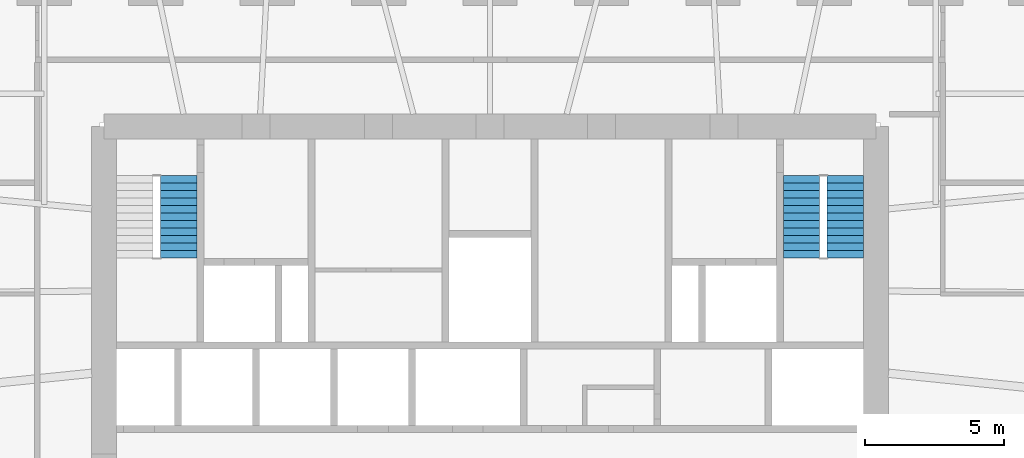
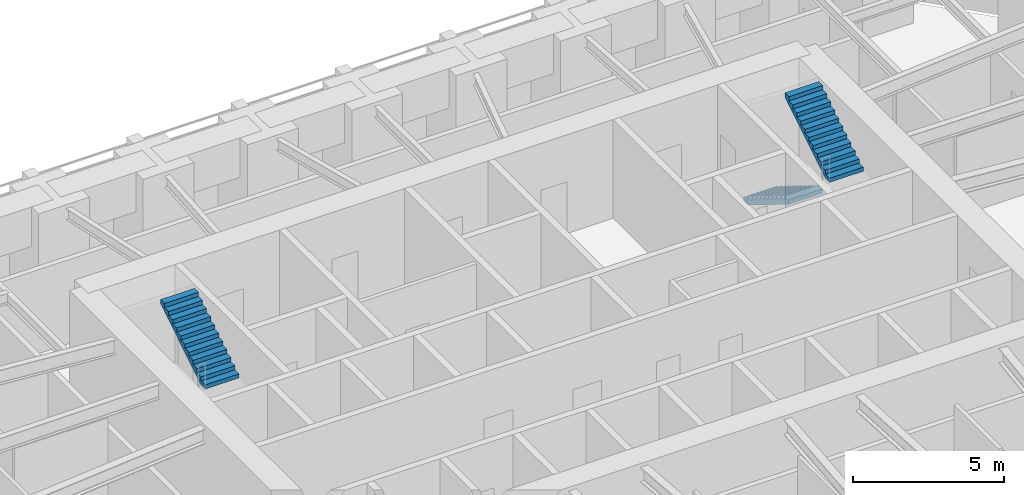
# One storey, part 14 of 16: 3 stair flights, 2 elements without a shape of their own.
"""IFC4 building model written with IfcOpenShell, lengths in metres."""

from ifc_helpers import new_model, si_unit, direction, frame, origin, place, context, subcontext, project, spatial, polyline, outline, extrude, material, type_object, element, aggregate, save


model = new_model("IFC4")

# Units and contexts
model_context = context("Model", 3, precision=1e-05, world=origin(), true_north=direction((0.0, 1.0)))
body_context = subcontext(model_context, "Body", "Model", "MODEL_VIEW")
ifc_project = project(units=[si_unit("LENGTHUNIT", "METRE"), si_unit("AREAUNIT", "SQUARE_METRE"), si_unit("VOLUMEUNIT", "CUBIC_METRE"), si_unit("PLANEANGLEUNIT", "RADIAN"), si_unit("MASSUNIT", "GRAM", prefix="KILO")], contexts=[model_context])

# Site, building, storey
site_placement = place(None, origin())
site = spatial("IfcSite", under=ifc_project, at=site_placement, CompositionType="ELEMENT")
building_placement = place(site_placement, origin())
building = spatial("IfcBuilding", under=site, at=building_placement, Name="Isbrekke Arena Tower", CompositionType="ELEMENT")
storey_placement = place(building_placement, frame((0.0, 0.0, 52.0)))
storey = spatial("IfcBuildingStorey", under=building, at=storey_placement, Name="L10", CompositionType="ELEMENT", Elevation=52.0)

# Stair, stair flight
ifc_material_1 = material(Name="Concrete B45 (C45/55) precast", Category="concrete")
stair_type = type_object("IfcStairType", Name="ST40 STAIR 1300 WIDE, 24 RISERS 167", PredefinedType="HALF_TURN_STAIR", material=ifc_material_1)
stair_1_placement = place(storey_placement, origin())
stair_1 = element("IfcStair", 1, at=stair_1_placement, inside=storey, type_object=stair_type, Name="ST1 stair L10", PredefinedType="HALF_TURN_STAIR")
ifc_material_2 = material(Name="Concrete B45 (C45/55) precast", Category="concrete")
stair_flight_type = type_object("IfcStairFlightType", Name="SF 1300 FLIGHT", PredefinedType="STRAIGHT", material=ifc_material_2)
stair_flight_1_placement = place(storey_placement, frame((-11.175048828125, 19.1298828125, 2.0), z_axis=(0.0, 0.0, 1.0), x_axis=(0.0, 1.0, 0.0)))
stair_flight_1 = element("IfcStairFlight", 2, at=stair_flight_1_placement, type_object=stair_flight_type, Name="ST1 flight 2", NumberOfRisers=12, NumberOfTreads=11, PredefinedType="STRAIGHT", RiserHeight=0.166666667, TreadLength=0.27, context=body_context, shape_type="SweptSolid", body=[
    extrude(outline(polyline([(0.0, 0.0), (0.0, 0.166748046875), (0.27001953125, 0.166748046875), (0.27001953125, 0.333251953125), (0.5400390625, 0.333251953125), (0.5400390625, 0.5), (0.81005859375, 0.5), (0.81005859375, 0.666748046875), (1.080078125, 0.666748046875), (1.080078125, 0.833251953125), (1.35009765625, 0.833251953125), (1.35009765625, 1.0), (1.6201171875, 1.0), (1.6201171875, 1.166748046875), (1.889892578125, 1.166748046875), (1.889892578125, 1.333251953125), (2.159912109375, 1.333251953125), (2.159912109375, 1.5), (2.429931640625, 1.5), (2.429931640625, 1.666748046875), (2.699951171875, 1.666748046875), (2.699951171875, 1.833251953125), (2.969970703125, 1.833251953125), (2.969970703125, 2.0), (2.969970703125, 1.6572265625), (0.285400390625, 0.0), (0.0, 0.0)])), frame((0.0, 0.64990234375, 0.0), z_axis=(0.0, -1.0, 0.0), x_axis=(1.0, 0.0, 0.0)), (0.0, 0.0, 1.0), 1.300048828125),
])
aggregate(stair_1, [stair_flight_1])

# Stair, stair flights
stair_2_placement = place(storey_placement, origin())
stair_2 = element("IfcStair", 3, at=stair_2_placement, inside=storey, type_object=stair_type, Name="ST2 stair L10", PredefinedType="HALF_TURN_STAIR")
stair_flight_2_placement = place(storey_placement, frame((11.175048828125, 22.10009765625, 0.0), z_axis=(0.0, 0.0, 1.0), x_axis=(0.0, -1.0, 0.0)))
stair_flight_2 = element("IfcStairFlight", 4, at=stair_flight_2_placement, type_object=stair_flight_type, Name="ST2 flight 1", NumberOfRisers=12, NumberOfTreads=11, PredefinedType="STRAIGHT", RiserHeight=0.166666667, TreadLength=0.27, context=body_context, shape_type="SweptSolid", body=[
    extrude(outline(polyline([(0.0, 0.0), (0.0, 0.166748046875), (0.27001953125, 0.166748046875), (0.27001953125, 0.333251953125), (0.5400390625, 0.333251953125), (0.5400390625, 0.5), (0.81005859375, 0.5), (0.81005859375, 0.666748046875), (1.080078125, 0.666748046875), (1.080078125, 0.833251953125), (1.35009765625, 0.833251953125), (1.35009765625, 1.0), (1.6201171875, 1.0), (1.6201171875, 1.166748046875), (1.889892578125, 1.166748046875), (1.889892578125, 1.333251953125), (2.159912109375, 1.333251953125), (2.159912109375, 1.5), (2.429931640625, 1.5), (2.429931640625, 1.666748046875), (2.699951171875, 1.666748046875), (2.699951171875, 1.833251953125), (2.969970703125, 1.833251953125), (2.969970703125, 2.0), (2.969970703125, 1.6572265625), (0.285400390625, 0.0), (0.0, 0.0)])), frame((0.0, 0.64990234375, 0.0), z_axis=(0.0, -1.0, 0.0), x_axis=(1.0, 0.0, 0.0)), (0.0, 0.0, 1.0), 1.300048828125),
])
stair_flight_3_placement = place(storey_placement, frame((12.75, 19.1298828125, 2.0), z_axis=(0.0, 0.0, 1.0), x_axis=(0.0, 1.0, 0.0)))
stair_flight_3 = element("IfcStairFlight", 5, at=stair_flight_3_placement, type_object=stair_flight_type, Name="ST2 flight 2", NumberOfRisers=12, NumberOfTreads=11, PredefinedType="STRAIGHT", RiserHeight=0.166666667, TreadLength=0.27, context=body_context, shape_type="SweptSolid", body=[
    extrude(outline(polyline([(0.0, 0.0), (0.0, 0.166748046875), (0.27001953125, 0.166748046875), (0.27001953125, 0.333251953125), (0.5400390625, 0.333251953125), (0.5400390625, 0.5), (0.81005859375, 0.5), (0.81005859375, 0.666748046875), (1.080078125, 0.666748046875), (1.080078125, 0.833251953125), (1.35009765625, 0.833251953125), (1.35009765625, 1.0), (1.6201171875, 1.0), (1.6201171875, 1.166748046875), (1.889892578125, 1.166748046875), (1.889892578125, 1.333251953125), (2.159912109375, 1.333251953125), (2.159912109375, 1.5), (2.429931640625, 1.5), (2.429931640625, 1.666748046875), (2.699951171875, 1.666748046875), (2.699951171875, 1.833251953125), (2.969970703125, 1.833251953125), (2.969970703125, 2.0), (2.969970703125, 1.6572265625), (0.285400390625, 0.0), (0.0, 0.0)])), frame((0.0, 0.64990234375, 0.0), z_axis=(0.0, -1.0, 0.0), x_axis=(1.0, 0.0, 0.0)), (0.0, 0.0, 1.0), 1.300048828125),
])
aggregate(stair_2, [stair_flight_2, stair_flight_3])

save(model, "model.ifc")
